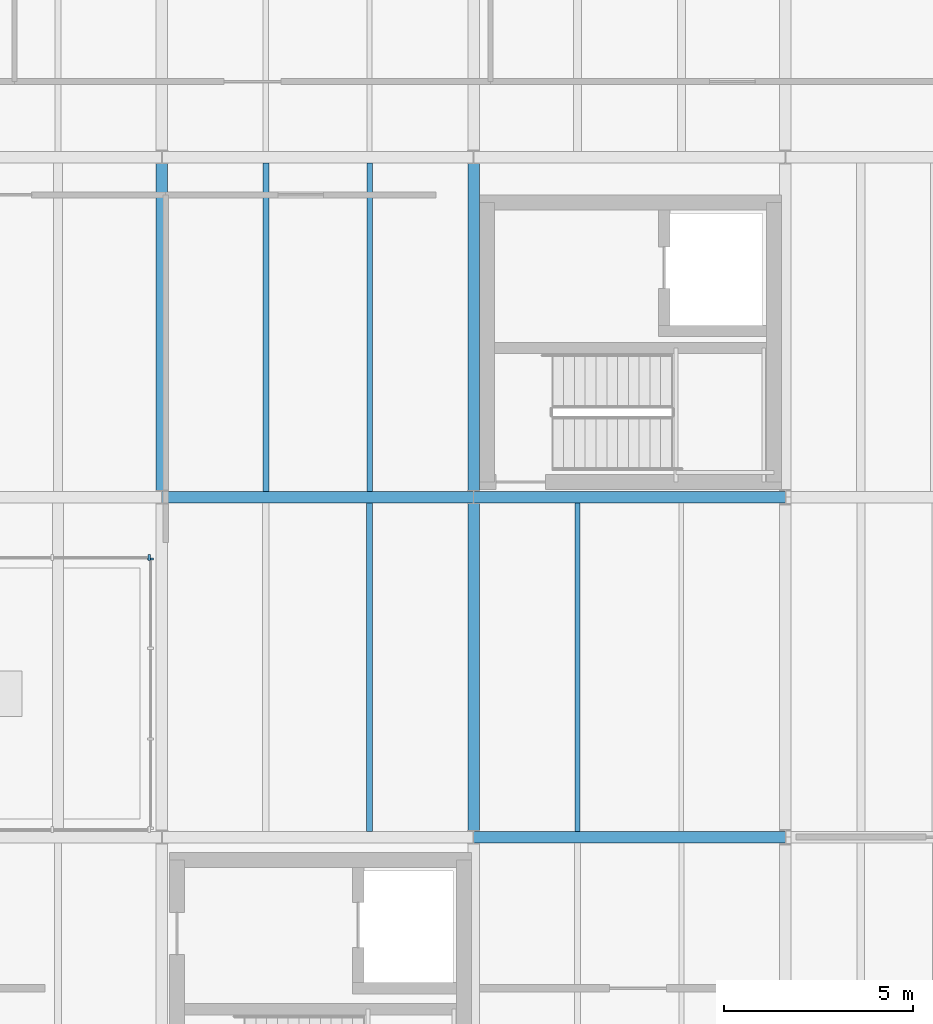
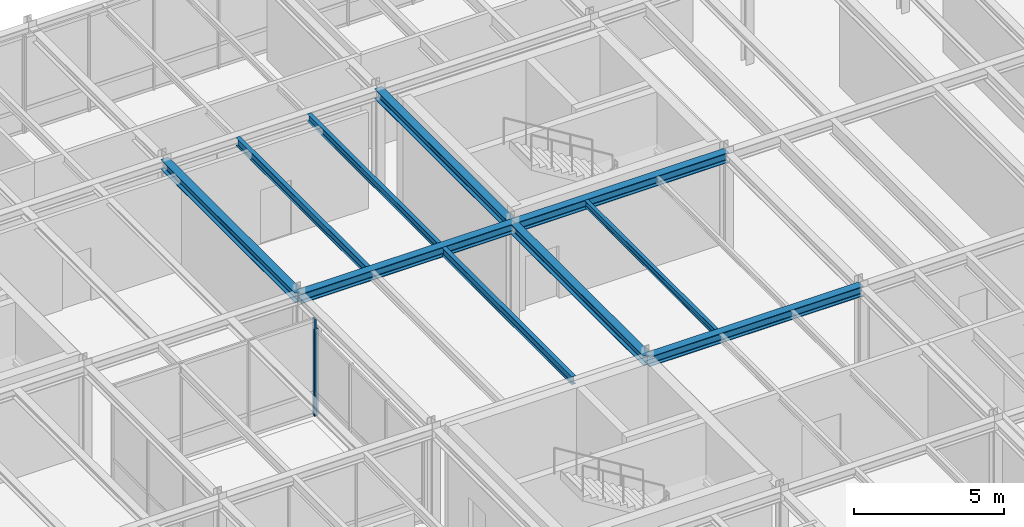
# One storey, part 11 of 31: 10 beams, 2 members, 2 elements without a shape of their own.
"""IFC4 building model written with IfcOpenShell, lengths in metres."""

from ifc_helpers import new_model, si_unit, direction, frame, origin, origin_2d, place, context, subcontext, project, spatial, rectangle, i_section, extrude, material, layer, layer_set, material_profile, profile_set, type_object, element, aggregate, save


model = new_model("IFC4")

# Units and contexts
model_context = context("Model", 3, precision=1e-05, world=origin(), true_north=direction((0.0, 1.0)))
body_context = subcontext(model_context, "Body", "Model", "MODEL_VIEW")
ifc_project = project(units=[si_unit("LENGTHUNIT", "METRE"), si_unit("AREAUNIT", "SQUARE_METRE"), si_unit("VOLUMEUNIT", "CUBIC_METRE"), si_unit("PLANEANGLEUNIT", "RADIAN"), si_unit("MASSUNIT", "GRAM", prefix="KILO")], contexts=[model_context])

# Site, building, storey
site_placement = place(None, origin())
site = spatial("IfcSite", under=ifc_project, at=site_placement, CompositionType="ELEMENT")
building_placement = place(site_placement, origin())
building = spatial("IfcBuilding", under=site, at=building_placement, Name="Montealbar Specialist Clinic", CompositionType="ELEMENT")
storey_placement = place(building_placement, frame((0.0, 0.0, 13.800048828125)))
storey = spatial("IfcBuildingStorey", under=building, at=storey_placement, Name="L03", CompositionType="ELEMENT", Elevation=13.800048828125)

# Beams
ifc_material_1 = material(Name="Steel S355", Category="steel")
ifc_material_profile_1 = material_profile(ifc_material_1, i_section(OverallWidth=0.300048828125, OverallDepth=0.39990234375, WebThickness=0.013427734375, FlangeThickness=0.02392578125, FilletRadius=0.027099609375, at=origin_2d()), Name="HEB 400", Category="steel")
ifc_profile_set_1 = profile_set([ifc_material_profile_1], Name="Steel S355")
beam_type_1 = type_object("IfcBeamType", Name="BM-GIRD-HEB400", PredefinedType="BEAM", material=ifc_profile_set_1)
for number, where, z_axis, x_axis, name in (
    (1, (90.75, 18.0, 3.739990234375), (1.0, 0.0, 0.0), (0.0, 1.0, 0.0), "Beam GX-L03-908-990-180"),
    (2, (82.5, 27.0, 3.739990234375), (1.0, 0.0, 0.0), (0.0, 1.0, 0.0), "Beam GX-L03-825-908-270"),
    (3, (90.75, 27.0, 3.739990234375), (1.0, 0.0, 0.0), (0.0, 1.0, 0.0), "Beam GX-L03-908-990-270"),
):
    element("IfcBeam", number, at=place(storey_placement, frame(where, z_axis=z_axis, x_axis=x_axis)), inside=storey, type_object=beam_type_1, Name=name, PredefinedType="BEAM", context=body_context, shape_type="SweptSolid", body=[
        extrude(i_section(OverallWidth=0.300048828125, OverallDepth=0.39990234375, WebThickness=0.013427734375, FlangeThickness=0.02392578125, FilletRadius=0.027099609375, at=origin_2d()), origin(), (0.0, 0.0, 1.0), 8.25),
    ])
for number, where, z_axis, x_axis, name in (
    (4, (82.5, 27.0, 3.739990234375), (0.0, 1.0, 0.0), (-1.0, 0.0, 0.0), "Beam GY-L03-825-270-360"),
    (5, (90.75, 18.0, 3.739990234375), (0.0, 1.0, 0.0), (-1.0, 0.0, 0.0), "Beam GY-L03-908-180-270"),
    (6, (90.75, 27.0, 3.739990234375), (0.0, 1.0, 0.0), (-1.0, 0.0, 0.0), "Beam GY-L03-908-270-360"),
):
    element("IfcBeam", number, at=place(storey_placement, frame(where, z_axis=z_axis, x_axis=x_axis)), inside=storey, type_object=beam_type_1, Name=name, PredefinedType="BEAM", context=body_context, shape_type="SweptSolid", body=[
        extrude(i_section(OverallWidth=0.300048828125, OverallDepth=0.39990234375, WebThickness=0.013427734375, FlangeThickness=0.02392578125, FilletRadius=0.027099609375, at=origin_2d()), origin(), (0.0, 0.0, 1.0), 9.0),
    ])
ifc_material_profile_2 = material_profile(ifc_material_1, i_section(OverallWidth=0.135009765625, OverallDepth=0.27001953125, WebThickness=0.006591796875, FlangeThickness=0.01025390625, FilletRadius=0.014892578125, at=origin_2d()), Name="IPE 270", Category="steel")
ifc_profile_set_2 = profile_set([ifc_material_profile_2], Name="Steel S355")
beam_type_2 = type_object("IfcBeamType", Name="BM-JST-IPE270", PredefinedType="JOIST", material=ifc_profile_set_2)
beam_1_placement = place(storey_placement, frame((93.5, 18.14990234375, 3.804931640625), z_axis=(0.0, 1.0, 0.0), x_axis=(-1.0, 0.0, 0.0)))
element("IfcBeam", 7, at=beam_1_placement, inside=storey, type_object=beam_type_2, Name="Beam JST-L03-935-182-268", PredefinedType="JOIST", context=body_context, shape_type="SweptSolid", body=[
    extrude(i_section(OverallWidth=0.135009765625, OverallDepth=0.27001953125, WebThickness=0.006591796875, FlangeThickness=0.01025390625, FilletRadius=0.014892578125, at=origin_2d()), origin(), (0.0, 0.0, 1.0), 8.7001953125),
])
ifc_material_profile_3 = material_profile(ifc_material_1, i_section(OverallWidth=0.14990234375, OverallDepth=0.300048828125, WebThickness=0.007080078125, FlangeThickness=0.0107421875, FilletRadius=0.014892578125, at=origin_2d()), Name="IPE 300", Category="steel")
ifc_profile_set_3 = profile_set([ifc_material_profile_3], Name="Steel S355")
beam_type_3 = type_object("IfcBeamType", Name="BM-JST-IPE300", PredefinedType="JOIST", material=ifc_profile_set_3)
beam_2_placement = place(storey_placement, frame((88.0, 27.14990234375, 3.7900390625), z_axis=(0.0, 1.0, 0.0), x_axis=(-1.0, 0.0, 0.0)))
element("IfcBeam", 8, at=beam_2_placement, inside=storey, type_object=beam_type_3, Name="Beam JST-L03-880-272-358", PredefinedType="JOIST", context=body_context, shape_type="SweptSolid", body=[
    extrude(i_section(OverallWidth=0.14990234375, OverallDepth=0.300048828125, WebThickness=0.007080078125, FlangeThickness=0.0107421875, FilletRadius=0.014892578125, at=origin_2d()), origin(), (0.0, 0.0, 1.0), 8.7001953125),
])
ifc_material_profile_4 = material_profile(ifc_material_1, i_section(OverallWidth=0.159912109375, OverallDepth=0.330078125, WebThickness=0.007568359375, FlangeThickness=0.011474609375, FilletRadius=0.01806640625, at=origin_2d()), Name="IPE 330", Category="steel")
ifc_profile_set_4 = profile_set([ifc_material_profile_4], Name="Steel S355")
beam_type_4 = type_object("IfcBeamType", Name="BM-JST-IPE330", PredefinedType="JOIST", material=ifc_profile_set_4)
for number, where, z_axis, x_axis, name in (
    (9, (88.0, 18.14990234375, 3.77490234375), (0.0, 1.0, 0.0), (-1.0, 0.0, 0.0), "Beam JST-L03-880-182-268"),
    (10, (85.25, 27.14990234375, 3.77490234375), (0.0, 1.0, 0.0), (-1.0, 0.0, 0.0), "Beam JST-L03-852-272-358"),
):
    element("IfcBeam", number, at=place(storey_placement, frame(where, z_axis=z_axis, x_axis=x_axis)), inside=storey, type_object=beam_type_4, Name=name, PredefinedType="JOIST", context=body_context, shape_type="SweptSolid", body=[
        extrude(i_section(OverallWidth=0.159912109375, OverallDepth=0.330078125, WebThickness=0.007568359375, FlangeThickness=0.011474609375, FilletRadius=0.01806640625, at=origin_2d()), origin(), (0.0, 0.0, 1.0), 8.7001953125),
    ])

# Curtain wall, member
ifc_material_2 = material(Name="Low-E double glazing", Category="glass")
ifc_layer_1 = layer(ifc_material_2, 0.199951171875, Name="Low-E double glazing", Category="glass")
ifc_layer_set_1 = layer_set([ifc_layer_1], Name="Low-E double glazing")
curtain_wall_type_1 = type_object("IfcCurtainWallType", Name="CW-TYPE-24", PredefinedType="NOTDEFINED", material=ifc_layer_set_1)
curtain_wall_1_placement = place(storey_placement, origin())
curtain_wall_1 = element("IfcCurtainWall", 11, at=curtain_wall_1_placement, inside=storey, type_object=curtain_wall_type_1, Name="Unitised Curtain Wall CW-L03-822-182-822-254-138", PredefinedType="NOTDEFINED")
ifc_material_3 = material(Name="Anodised aluminium EN AW-6063", Category="aluminium")
ifc_material_profile_5 = material_profile(ifc_material_3, rectangle(XDim=0.06005859375, YDim=0.159912109375, at=origin_2d()), Name="ALU 60x160", Category="aluminium")
ifc_profile_set_5 = profile_set([ifc_material_profile_5], Name="Anodised aluminium EN AW-6063")
member_type = type_object("IfcMemberType", Name="CW-MUL-160", PredefinedType="MULLION", material=ifc_profile_set_5)
member_1_placement = place(storey_placement, frame((82.199951171875, 25.364990234375, 0.0), z_axis=(0.0, 0.0, 1.0), x_axis=(0.0, 1.0, 0.0)))
member_1 = element("IfcMember", 12, at=member_1_placement, type_object=member_type, Name="Curtain Wall Mullion CW-L03-822-182-822-254-138-03", PredefinedType="MULLION", context=body_context, shape_type="SweptSolid", body=[
    extrude(rectangle(XDim=0.06005859375, YDim=0.159912109375, at=origin_2d()), origin(), (0.0, 0.0, 1.0), 3.5400390625),
])
aggregate(curtain_wall_1, [member_1])

ifc_layer_2 = layer(ifc_material_2, 0.199951171875, Name="Low-E double glazing", Category="glass")
ifc_layer_set_2 = layer_set([ifc_layer_2], Name="Low-E double glazing")
curtain_wall_type_2 = type_object("IfcCurtainWallType", Name="CW-TYPE-25", PredefinedType="NOTDEFINED", material=ifc_layer_set_2)
curtain_wall_2_placement = place(storey_placement, origin())
curtain_wall_2 = element("IfcCurtainWall", 13, at=curtain_wall_2_placement, inside=storey, type_object=curtain_wall_type_2, Name="Unitised Curtain Wall CW-L03-822-254-744-254-138", PredefinedType="NOTDEFINED")
member_2_placement = place(storey_placement, frame((82.1650390625, 25.39990234375, 0.0), z_axis=(0.0, 0.0, 1.0), x_axis=(-1.0, 0.0, 0.0)))
member_2 = element("IfcMember", 14, at=member_2_placement, type_object=member_type, Name="Curtain Wall Mullion CW-L03-822-254-744-254-138-00", PredefinedType="MULLION", context=body_context, shape_type="SweptSolid", body=[
    extrude(rectangle(XDim=0.06005859375, YDim=0.159912109375, at=origin_2d()), origin(), (0.0, 0.0, 1.0), 3.93994140625),
])
aggregate(curtain_wall_2, [member_2])

save(model, "model.ifc")
